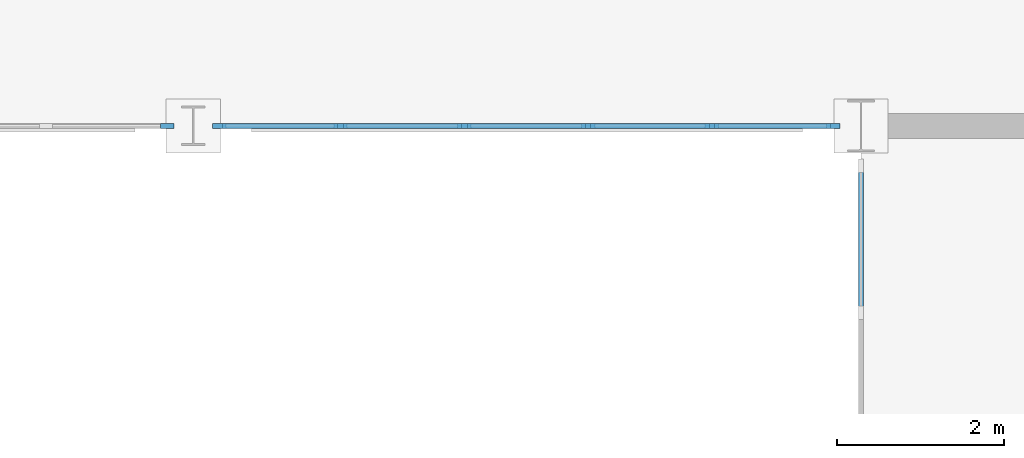
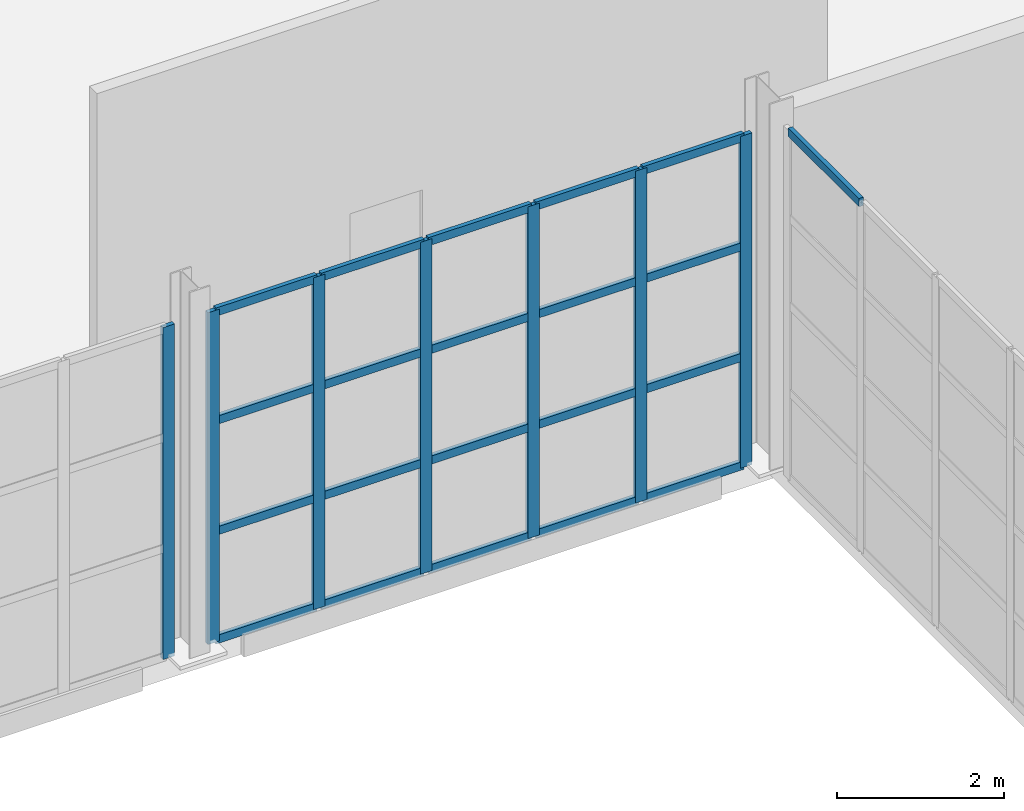
# One storey, part 27 of 82: 28 members, 3 elements without a shape of their own.
"""IFC4 building model written with IfcOpenShell, lengths in metres."""

from ifc_helpers import new_model, si_unit, direction, frame, origin, origin_2d, place, context, subcontext, project, spatial, rectangle, extrude, material, material_profile, profile_set, type_object, element, aggregate, save


model = new_model("IFC4")

# Units and contexts
model_context = context("Model", 3, precision=1e-05, world=origin(), true_north=direction((0.0, 1.0)))
body_context = subcontext(model_context, "Body", "Model", "MODEL_VIEW")
ifc_project = project(units=[si_unit("LENGTHUNIT", "METRE"), si_unit("AREAUNIT", "SQUARE_METRE"), si_unit("VOLUMEUNIT", "CUBIC_METRE"), si_unit("PLANEANGLEUNIT", "RADIAN"), si_unit("MASSUNIT", "GRAM", prefix="KILO")], contexts=[model_context])

# Site, building, storey
site_placement = place(None, origin())
site = spatial("IfcSite", under=ifc_project, at=site_placement, CompositionType="ELEMENT")
building_placement = place(site_placement, origin())
building = spatial("IfcBuilding", under=site, at=building_placement, Name="Serraluz Foothill Cableway Terminal", CompositionType="ELEMENT")
storey_placement = place(building_placement, frame((0.0, 0.0, 9.60009765625)))
storey = spatial("IfcBuildingStorey", under=building, at=storey_placement, Name="L02", CompositionType="ELEMENT", Elevation=9.60009765625)

# Curtain wall, member
ifc_material = material(Name="Architectural bronze alloy C28000", Category="aluminium")
curtain_wall_type_1 = type_object("IfcCurtainWallType", Name="TYP-CW-480X380", PredefinedType="NOTDEFINED", material=ifc_material)
curtain_wall_1_placement = place(storey_placement, origin())
curtain_wall_1 = element("IfcCurtainWall", 1, at=curtain_wall_1_placement, inside=storey, type_object=curtain_wall_type_1, Name="Ribbed Glazed Curtain Wall CW-V1S-L02-104", PredefinedType="NOTDEFINED")
ifc_material_profile_1 = material_profile(ifc_material, rectangle(XDim=0.06005859375, YDim=0.159912109375, at=origin_2d()), Name="ALU MULLION 60x160")
ifc_profile_set_1 = profile_set([ifc_material_profile_1], Name="Architectural bronze alloy C28000")
member_type_1 = type_object("IfcMemberType", Name="TYP-CW-MUL-60X160", PredefinedType="MULLION", material=ifc_profile_set_1)
member_1_placement = place(storey_placement, frame((111.6884765625, 56.0, 0.0), z_axis=(0.0, 0.0, 1.0), x_axis=(0.0, -1.0, 0.0)))
member_1 = element("IfcMember", 2, at=member_1_placement, type_object=member_type_1, Name="CW-14 mullion 1", PredefinedType="MULLION", context=body_context, shape_type="SweptSolid", body=[
    extrude(rectangle(XDim=0.06005859375, YDim=0.159912109375, at=origin_2d()), origin(), (0.0, 0.0, 1.0), 4.849853515625),
])
aggregate(curtain_wall_1, [member_1])

# Curtain wall, members
curtain_wall_type_2 = type_object("IfcCurtainWallType", Name="TYP-CW-480X420", PredefinedType="NOTDEFINED", material=ifc_material)
curtain_wall_2_placement = place(storey_placement, origin())
curtain_wall_2 = element("IfcCurtainWall", 3, at=curtain_wall_2_placement, inside=storey, type_object=curtain_wall_type_2, Name="Ribbed Glazed Curtain Wall CW-V1S-L02-112", PredefinedType="NOTDEFINED")
member_2_placement = place(storey_placement, frame((119.66748046875, 56.0, 0.0), z_axis=(0.0, 0.0, 1.0), x_axis=(0.0, -1.0, 0.0)))
member_2 = element("IfcMember", 4, at=member_2_placement, type_object=member_type_1, Name="CW-15 mullion 1", PredefinedType="MULLION", context=body_context, shape_type="SweptSolid", body=[
    extrude(rectangle(XDim=0.06005859375, YDim=0.159912109375, at=origin_2d()), origin(), (0.0, 0.0, 1.0), 4.849853515625),
])
member_3_placement = place(storey_placement, frame((118.21435546875, 56.0, 0.0), z_axis=(0.0, 0.0, 1.0), x_axis=(0.0, -1.0, 0.0)))
member_3 = element("IfcMember", 5, at=member_3_placement, type_object=member_type_1, Name="CW-15 mullion 2", PredefinedType="MULLION", context=body_context, shape_type="SweptSolid", body=[
    extrude(rectangle(XDim=0.06005859375, YDim=0.159912109375, at=origin_2d()), origin(), (0.0, 0.0, 1.0), 4.849853515625),
])
member_4_placement = place(storey_placement, frame((116.731201171875, 56.0, 0.0), z_axis=(0.0, 0.0, 1.0), x_axis=(0.0, -1.0, 0.0)))
member_4 = element("IfcMember", 6, at=member_4_placement, type_object=member_type_1, Name="CW-15 mullion 3", PredefinedType="MULLION", context=body_context, shape_type="SweptSolid", body=[
    extrude(rectangle(XDim=0.06005859375, YDim=0.159912109375, at=origin_2d()), origin(), (0.0, 0.0, 1.0), 4.849853515625),
])
member_5_placement = place(storey_placement, frame((115.247802734375, 56.0, 0.0), z_axis=(0.0, 0.0, 1.0), x_axis=(0.0, -1.0, 0.0)))
member_5 = element("IfcMember", 7, at=member_5_placement, type_object=member_type_1, Name="CW-15 mullion 4", PredefinedType="MULLION", context=body_context, shape_type="SweptSolid", body=[
    extrude(rectangle(XDim=0.06005859375, YDim=0.159912109375, at=origin_2d()), origin(), (0.0, 0.0, 1.0), 4.849853515625),
])
member_6_placement = place(storey_placement, frame((113.7646484375, 56.0, 0.0), z_axis=(0.0, 0.0, 1.0), x_axis=(0.0, -1.0, 0.0)))
member_6 = element("IfcMember", 8, at=member_6_placement, type_object=member_type_1, Name="CW-15 mullion 5", PredefinedType="MULLION", context=body_context, shape_type="SweptSolid", body=[
    extrude(rectangle(XDim=0.06005859375, YDim=0.159912109375, at=origin_2d()), origin(), (0.0, 0.0, 1.0), 4.849853515625),
])
member_7_placement = place(storey_placement, frame((112.3115234375, 56.0, 0.0), z_axis=(0.0, 0.0, 1.0), x_axis=(0.0, -1.0, 0.0)))
member_7 = element("IfcMember", 9, at=member_7_placement, type_object=member_type_1, Name="CW-15 mullion 6", PredefinedType="MULLION", context=body_context, shape_type="SweptSolid", body=[
    extrude(rectangle(XDim=0.06005859375, YDim=0.159912109375, at=origin_2d()), origin(), (0.0, 0.0, 1.0), 4.849853515625),
])
ifc_material_profile_2 = material_profile(ifc_material, rectangle(XDim=0.06005859375, YDim=0.1201171875, at=origin_2d()), Name="ALU TRANSOM 60x120")
ifc_profile_set_2 = profile_set([ifc_material_profile_2], Name="Architectural bronze alloy C28000")
member_type_2 = type_object("IfcMemberType", Name="TYP-CW-TRN-60X120", PredefinedType="USERDEFINED", material=ifc_profile_set_2)
member_8_placement = place(storey_placement, frame((119.637451171875, 56.0, 0.02978515625), z_axis=(-1.0, 0.0, 0.0), x_axis=(0.0, -1.0, 0.0)))
member_8 = element("IfcMember", 10, at=member_8_placement, type_object=member_type_2, Name="CW-15 transom 1.1", ObjectType="TRANSOM", PredefinedType="USERDEFINED", context=body_context, shape_type="SweptSolid", body=[
    extrude(rectangle(XDim=0.06005859375, YDim=0.1201171875, at=origin_2d()), origin(), (0.0, 0.0, 1.0), 1.39306640625),
])
member_9_placement = place(storey_placement, frame((119.637451171875, 56.0, 1.61669921875), z_axis=(-1.0, 0.0, 0.0), x_axis=(0.0, -1.0, 0.0)))
member_9 = element("IfcMember", 11, at=member_9_placement, type_object=member_type_2, Name="CW-15 transom 1.2", ObjectType="TRANSOM", PredefinedType="USERDEFINED", context=body_context, shape_type="SweptSolid", body=[
    extrude(rectangle(XDim=0.06005859375, YDim=0.1201171875, at=origin_2d()), origin(), (0.0, 0.0, 1.0), 1.39306640625),
])
member_10_placement = place(storey_placement, frame((119.637451171875, 56.0, 3.233154296875), z_axis=(-1.0, 0.0, 0.0), x_axis=(0.0, -1.0, 0.0)))
member_10 = element("IfcMember", 12, at=member_10_placement, type_object=member_type_2, Name="CW-15 transom 1.3", ObjectType="TRANSOM", PredefinedType="USERDEFINED", context=body_context, shape_type="SweptSolid", body=[
    extrude(rectangle(XDim=0.06005859375, YDim=0.1201171875, at=origin_2d()), origin(), (0.0, 0.0, 1.0), 1.39306640625),
])
member_11_placement = place(storey_placement, frame((119.637451171875, 56.0, 4.81982421875), z_axis=(-1.0, 0.0, 0.0), x_axis=(0.0, -1.0, 0.0)))
member_11 = element("IfcMember", 13, at=member_11_placement, type_object=member_type_2, Name="CW-15 transom 1.4", ObjectType="TRANSOM", PredefinedType="USERDEFINED", context=body_context, shape_type="SweptSolid", body=[
    extrude(rectangle(XDim=0.06005859375, YDim=0.1201171875, at=origin_2d()), origin(), (0.0, 0.0, 1.0), 1.39306640625),
])
member_12_placement = place(storey_placement, frame((118.184326171875, 56.0, 0.02978515625), z_axis=(-1.0, 0.0, 0.0), x_axis=(0.0, -1.0, 0.0)))
member_12 = element("IfcMember", 14, at=member_12_placement, type_object=member_type_2, Name="CW-15 transom 2.1", ObjectType="TRANSOM", PredefinedType="USERDEFINED", context=body_context, shape_type="SweptSolid", body=[
    extrude(rectangle(XDim=0.06005859375, YDim=0.1201171875, at=origin_2d()), origin(), (0.0, 0.0, 1.0), 1.42333984375),
])
member_13_placement = place(storey_placement, frame((118.184326171875, 56.0, 1.61669921875), z_axis=(-1.0, 0.0, 0.0), x_axis=(0.0, -1.0, 0.0)))
member_13 = element("IfcMember", 15, at=member_13_placement, type_object=member_type_2, Name="CW-15 transom 2.2", ObjectType="TRANSOM", PredefinedType="USERDEFINED", context=body_context, shape_type="SweptSolid", body=[
    extrude(rectangle(XDim=0.06005859375, YDim=0.1201171875, at=origin_2d()), origin(), (0.0, 0.0, 1.0), 1.42333984375),
])
member_14_placement = place(storey_placement, frame((118.184326171875, 56.0, 3.233154296875), z_axis=(-1.0, 0.0, 0.0), x_axis=(0.0, -1.0, 0.0)))
member_14 = element("IfcMember", 16, at=member_14_placement, type_object=member_type_2, Name="CW-15 transom 2.3", ObjectType="TRANSOM", PredefinedType="USERDEFINED", context=body_context, shape_type="SweptSolid", body=[
    extrude(rectangle(XDim=0.06005859375, YDim=0.1201171875, at=origin_2d()), origin(), (0.0, 0.0, 1.0), 1.42333984375),
])
member_15_placement = place(storey_placement, frame((118.184326171875, 56.0, 4.81982421875), z_axis=(-1.0, 0.0, 0.0), x_axis=(0.0, -1.0, 0.0)))
member_15 = element("IfcMember", 17, at=member_15_placement, type_object=member_type_2, Name="CW-15 transom 2.4", ObjectType="TRANSOM", PredefinedType="USERDEFINED", context=body_context, shape_type="SweptSolid", body=[
    extrude(rectangle(XDim=0.06005859375, YDim=0.1201171875, at=origin_2d()), origin(), (0.0, 0.0, 1.0), 1.42333984375),
])
member_16_placement = place(storey_placement, frame((116.701171875, 56.0, 0.02978515625), z_axis=(-1.0, 0.0, 0.0), x_axis=(0.0, -1.0, 0.0)))
member_16 = element("IfcMember", 18, at=member_16_placement, type_object=member_type_2, Name="CW-15 transom 3.1", ObjectType="TRANSOM", PredefinedType="USERDEFINED", context=body_context, shape_type="SweptSolid", body=[
    extrude(rectangle(XDim=0.06005859375, YDim=0.1201171875, at=origin_2d()), origin(), (0.0, 0.0, 1.0), 1.42333984375),
])
member_17_placement = place(storey_placement, frame((116.701171875, 56.0, 1.61669921875), z_axis=(-1.0, 0.0, 0.0), x_axis=(0.0, -1.0, 0.0)))
member_17 = element("IfcMember", 19, at=member_17_placement, type_object=member_type_2, Name="CW-15 transom 3.2", ObjectType="TRANSOM", PredefinedType="USERDEFINED", context=body_context, shape_type="SweptSolid", body=[
    extrude(rectangle(XDim=0.06005859375, YDim=0.1201171875, at=origin_2d()), origin(), (0.0, 0.0, 1.0), 1.42333984375),
])
member_18_placement = place(storey_placement, frame((116.701171875, 56.0, 3.233154296875), z_axis=(-1.0, 0.0, 0.0), x_axis=(0.0, -1.0, 0.0)))
member_18 = element("IfcMember", 20, at=member_18_placement, type_object=member_type_2, Name="CW-15 transom 3.3", ObjectType="TRANSOM", PredefinedType="USERDEFINED", context=body_context, shape_type="SweptSolid", body=[
    extrude(rectangle(XDim=0.06005859375, YDim=0.1201171875, at=origin_2d()), origin(), (0.0, 0.0, 1.0), 1.42333984375),
])
member_19_placement = place(storey_placement, frame((116.701171875, 56.0, 4.81982421875), z_axis=(-1.0, 0.0, 0.0), x_axis=(0.0, -1.0, 0.0)))
member_19 = element("IfcMember", 21, at=member_19_placement, type_object=member_type_2, Name="CW-15 transom 3.4", ObjectType="TRANSOM", PredefinedType="USERDEFINED", context=body_context, shape_type="SweptSolid", body=[
    extrude(rectangle(XDim=0.06005859375, YDim=0.1201171875, at=origin_2d()), origin(), (0.0, 0.0, 1.0), 1.42333984375),
])
member_20_placement = place(storey_placement, frame((115.218017578125, 56.0, 0.02978515625), z_axis=(-1.0, 0.0, 0.0), x_axis=(0.0, -1.0, 0.0)))
member_20 = element("IfcMember", 22, at=member_20_placement, type_object=member_type_2, Name="CW-15 transom 4.1", ObjectType="TRANSOM", PredefinedType="USERDEFINED", context=body_context, shape_type="SweptSolid", body=[
    extrude(rectangle(XDim=0.06005859375, YDim=0.1201171875, at=origin_2d()), origin(), (0.0, 0.0, 1.0), 1.42333984375),
])
member_21_placement = place(storey_placement, frame((115.218017578125, 56.0, 1.61669921875), z_axis=(-1.0, 0.0, 0.0), x_axis=(0.0, -1.0, 0.0)))
member_21 = element("IfcMember", 23, at=member_21_placement, type_object=member_type_2, Name="CW-15 transom 4.2", ObjectType="TRANSOM", PredefinedType="USERDEFINED", context=body_context, shape_type="SweptSolid", body=[
    extrude(rectangle(XDim=0.06005859375, YDim=0.1201171875, at=origin_2d()), origin(), (0.0, 0.0, 1.0), 1.42333984375),
])
member_22_placement = place(storey_placement, frame((115.218017578125, 56.0, 3.233154296875), z_axis=(-1.0, 0.0, 0.0), x_axis=(0.0, -1.0, 0.0)))
member_22 = element("IfcMember", 24, at=member_22_placement, type_object=member_type_2, Name="CW-15 transom 4.3", ObjectType="TRANSOM", PredefinedType="USERDEFINED", context=body_context, shape_type="SweptSolid", body=[
    extrude(rectangle(XDim=0.06005859375, YDim=0.1201171875, at=origin_2d()), origin(), (0.0, 0.0, 1.0), 1.42333984375),
])
member_23_placement = place(storey_placement, frame((115.218017578125, 56.0, 4.81982421875), z_axis=(-1.0, 0.0, 0.0), x_axis=(0.0, -1.0, 0.0)))
member_23 = element("IfcMember", 25, at=member_23_placement, type_object=member_type_2, Name="CW-15 transom 4.4", ObjectType="TRANSOM", PredefinedType="USERDEFINED", context=body_context, shape_type="SweptSolid", body=[
    extrude(rectangle(XDim=0.06005859375, YDim=0.1201171875, at=origin_2d()), origin(), (0.0, 0.0, 1.0), 1.42333984375),
])
member_24_placement = place(storey_placement, frame((113.734619140625, 56.0, 0.02978515625), z_axis=(-1.0, 0.0, 0.0), x_axis=(0.0, -1.0, 0.0)))
member_24 = element("IfcMember", 26, at=member_24_placement, type_object=member_type_2, Name="CW-15 transom 5.1", ObjectType="TRANSOM", PredefinedType="USERDEFINED", context=body_context, shape_type="SweptSolid", body=[
    extrude(rectangle(XDim=0.06005859375, YDim=0.1201171875, at=origin_2d()), origin(), (0.0, 0.0, 1.0), 1.39306640625),
])
member_25_placement = place(storey_placement, frame((113.734619140625, 56.0, 1.61669921875), z_axis=(-1.0, 0.0, 0.0), x_axis=(0.0, -1.0, 0.0)))
member_25 = element("IfcMember", 27, at=member_25_placement, type_object=member_type_2, Name="CW-15 transom 5.2", ObjectType="TRANSOM", PredefinedType="USERDEFINED", context=body_context, shape_type="SweptSolid", body=[
    extrude(rectangle(XDim=0.06005859375, YDim=0.1201171875, at=origin_2d()), origin(), (0.0, 0.0, 1.0), 1.39306640625),
])
member_26_placement = place(storey_placement, frame((113.734619140625, 56.0, 3.233154296875), z_axis=(-1.0, 0.0, 0.0), x_axis=(0.0, -1.0, 0.0)))
member_26 = element("IfcMember", 28, at=member_26_placement, type_object=member_type_2, Name="CW-15 transom 5.3", ObjectType="TRANSOM", PredefinedType="USERDEFINED", context=body_context, shape_type="SweptSolid", body=[
    extrude(rectangle(XDim=0.06005859375, YDim=0.1201171875, at=origin_2d()), origin(), (0.0, 0.0, 1.0), 1.39306640625),
])
member_27_placement = place(storey_placement, frame((113.734619140625, 56.0, 4.81982421875), z_axis=(-1.0, 0.0, 0.0), x_axis=(0.0, -1.0, 0.0)))
member_27 = element("IfcMember", 29, at=member_27_placement, type_object=member_type_2, Name="CW-15 transom 5.4", ObjectType="TRANSOM", PredefinedType="USERDEFINED", context=body_context, shape_type="SweptSolid", body=[
    extrude(rectangle(XDim=0.06005859375, YDim=0.1201171875, at=origin_2d()), origin(), (0.0, 0.0, 1.0), 1.39306640625),
])
aggregate(curtain_wall_2, [member_2, member_3, member_4, member_5, member_6, member_7, member_8, member_9, member_10, member_11, member_12, member_13, member_14, member_15, member_16, member_17, member_18, member_19, member_20, member_21, member_22, member_23, member_24, member_25, member_26, member_27])

# Curtain wall, member
curtain_wall_type_3 = type_object("IfcCurtainWallType", Name="TYP-CW-710X420", PredefinedType="NOTDEFINED", material=ifc_material)
curtain_wall_3_placement = place(storey_placement, origin())
curtain_wall_3 = element("IfcCurtainWall", 30, at=curtain_wall_3_placement, inside=storey, type_object=curtain_wall_type_3, Name="Ribbed Glazed Curtain Wall CW-CLW-L02-48", PredefinedType="NOTDEFINED")
member_28_placement = place(storey_placement, frame((120.0, 53.79150390625, 5.06982421875), z_axis=(0.0, 1.0, 0.0), x_axis=(-1.0, 0.0, 0.0)))
member_28 = element("IfcMember", 31, at=member_28_placement, type_object=member_type_2, Name="CW-01 transom 4.5", ObjectType="TRANSOM", PredefinedType="USERDEFINED", context=body_context, shape_type="SweptSolid", body=[
    extrude(rectangle(XDim=0.06005859375, YDim=0.1201171875, at=origin_2d()), origin(), (0.0, 0.0, 1.0), 1.700439453125),
])
aggregate(curtain_wall_3, [member_28])

save(model, "model.ifc")
